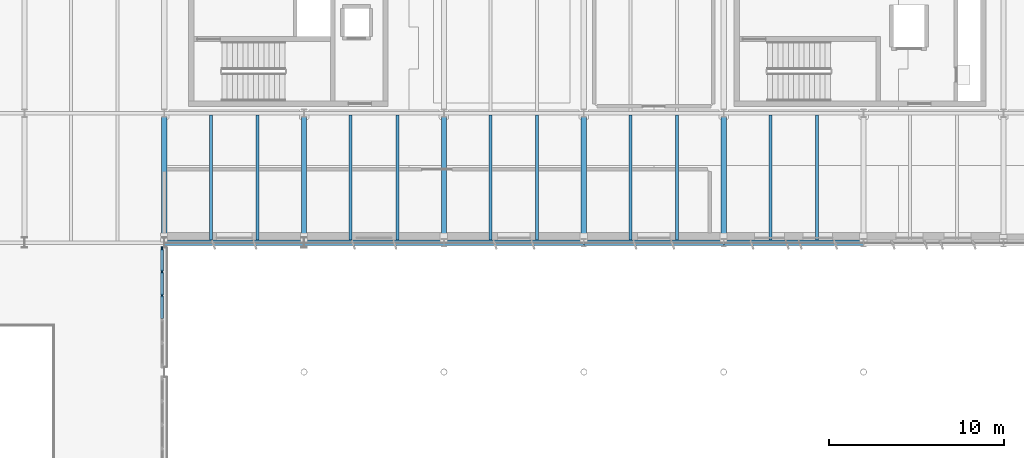
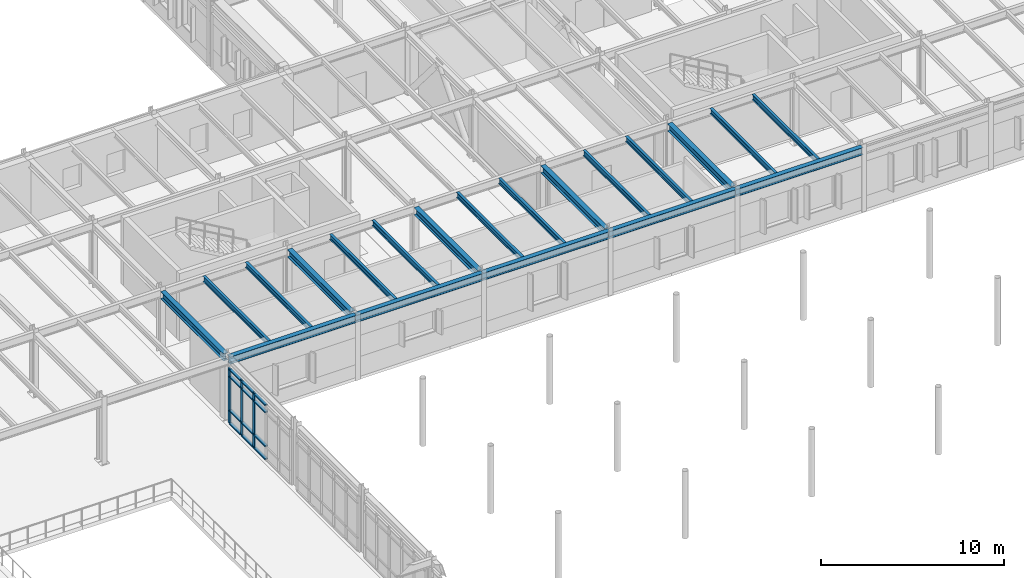
# One storey, part 23 of 75: 20 beams, 15 members, 1 element without a shape of its own.
"""IFC4 building model written with IfcOpenShell, lengths in metres."""

from ifc_helpers import new_model, si_unit, direction, frame, origin, origin_2d, place, context, subcontext, project, spatial, rectangle, i_section, extrude, material, layer, layer_set, material_profile, profile_set, type_object, element, aggregate, save


model = new_model("IFC4")

# Units and contexts
model_context = context("Model", 3, precision=1e-05, world=origin(), true_north=direction((0.0, 1.0)))
body_context = subcontext(model_context, "Body", "Model", "MODEL_VIEW")
ifc_project = project(units=[si_unit("LENGTHUNIT", "METRE"), si_unit("AREAUNIT", "SQUARE_METRE"), si_unit("VOLUMEUNIT", "CUBIC_METRE"), si_unit("PLANEANGLEUNIT", "RADIAN"), si_unit("MASSUNIT", "GRAM", prefix="KILO")], contexts=[model_context])

# Site, building, storey
site_placement = place(None, origin())
site = spatial("IfcSite", under=ifc_project, at=site_placement, CompositionType="ELEMENT")
building_placement = place(site_placement, origin())
building = spatial("IfcBuilding", under=site, at=building_placement, Name="Valkorina Park Police Headquarters", CompositionType="ELEMENT")
storey_placement = place(building_placement, frame((0.0, 0.0, 5.39990234375)))
storey = spatial("IfcBuildingStorey", under=building, at=storey_placement, Name="L02", CompositionType="ELEMENT", Elevation=5.39990234375)

# Beams
ifc_material_1 = material(Name="Steel S355", Category="steel")
ifc_material_profile_1 = material_profile(ifc_material_1, i_section(OverallWidth=0.300048828125, OverallDepth=0.489990234375, WebThickness=0.011962890625, FlangeThickness=0.02294921875, FilletRadius=0.027099609375, at=origin_2d()), Name="HEA 500")
ifc_profile_set_1 = profile_set([ifc_material_profile_1], Name="Steel S355")
beam_type_1 = type_object("IfcBeamType", Name="BM-S355-HEA500-BM", PredefinedType="BEAM", material=ifc_profile_set_1)
for number, where, z_axis, x_axis, name in (
    (1, (80.800048828125, 59.5, 3.9951171875), (0.0, 1.0, 0.0), (-1.0, 0.0, 0.0), "L02 Framing Beam 1646"),
    (2, (88.800048828125, 59.5, 3.9951171875), (0.0, 1.0, 0.0), (-1.0, 0.0, 0.0), "L02 Framing Beam 1653"),
):
    element("IfcBeam", number, at=place(storey_placement, frame(where, z_axis=z_axis, x_axis=x_axis)), inside=storey, type_object=beam_type_1, Name=name, PredefinedType="BEAM", context=body_context, shape_type="SweptSolid", body=[
        extrude(i_section(OverallWidth=0.300048828125, OverallDepth=0.489990234375, WebThickness=0.011962890625, FlangeThickness=0.02294921875, FilletRadius=0.027099609375, at=origin_2d()), origin(), (0.0, 0.0, 1.0), 6.875),
    ])
for number, where, z_axis, x_axis, name in (
    (3, (96.800048828125, 59.425048828125, 3.9951171875), (0.0, 1.0, 0.0), (-1.0, 0.0, 0.0), "L02 Framing Beam 1659"),
    (4, (104.800048828125, 59.425048828125, 3.9951171875), (0.0, 1.0, 0.0), (-1.0, 0.0, 0.0), "L02 Framing Beam 1680"),
    (5, (112.800048828125, 59.425048828125, 3.9951171875), (0.0, 1.0, 0.0), (-1.0, 0.0, 0.0), "L02 Framing Beam 1701"),
):
    element("IfcBeam", number, at=place(storey_placement, frame(where, z_axis=z_axis, x_axis=x_axis)), inside=storey, type_object=beam_type_1, Name=name, PredefinedType="BEAM", context=body_context, shape_type="SweptSolid", body=[
        extrude(i_section(OverallWidth=0.300048828125, OverallDepth=0.489990234375, WebThickness=0.011962890625, FlangeThickness=0.02294921875, FilletRadius=0.027099609375, at=origin_2d()), origin(), (0.0, 0.0, 1.0), 6.949951171875),
    ])
ifc_material_profile_2 = material_profile(ifc_material_1, i_section(OverallWidth=0.300048828125, OverallDepth=0.489990234375, WebThickness=0.011962890625, FlangeThickness=0.02294921875, FilletRadius=0.027099609375, at=origin_2d()), Name="HEA 500")
ifc_profile_set_2 = profile_set([ifc_material_profile_2], Name="Steel S355")
beam_type_2 = type_object("IfcBeamType", Name="BM-S355-HEA500-SPN", PredefinedType="SPANDREL", material=ifc_profile_set_2)
beam_1_placement = place(storey_placement, frame((80.8076171875, 59.199951171875, 3.9951171875), z_axis=(1.0, 0.0, 0.0), x_axis=(0.0, 1.0, 0.0)))
element("IfcBeam", 6, at=beam_1_placement, inside=storey, type_object=beam_type_2, Name="L02 Framing Beam 1349", PredefinedType="SPANDREL", context=body_context, shape_type="SweptSolid", body=[
    extrude(i_section(OverallWidth=0.300048828125, OverallDepth=0.489990234375, WebThickness=0.011962890625, FlangeThickness=0.02294921875, FilletRadius=0.027099609375, at=origin_2d()), origin(), (0.0, 0.0, 1.0), 7.984619140625),
])
beam_2_placement = place(storey_placement, frame((88.8076171875, 59.199951171875, 3.9951171875), z_axis=(1.0, 0.0, 0.0), x_axis=(0.0, 1.0, 0.0)))
element("IfcBeam", 7, at=beam_2_placement, inside=storey, type_object=beam_type_2, Name="L02 Framing Beam 1350", PredefinedType="SPANDREL", context=body_context, shape_type="SweptSolid", body=[
    extrude(i_section(OverallWidth=0.300048828125, OverallDepth=0.489990234375, WebThickness=0.011962890625, FlangeThickness=0.02294921875, FilletRadius=0.027099609375, at=origin_2d()), origin(), (0.0, 0.0, 1.0), 7.9853515625),
])
for number, where, z_axis, x_axis, name in (
    (8, (96.806884765625, 59.199951171875, 3.9951171875), (1.0, 0.0, 0.0), (0.0, 1.0, 0.0), "L02 Framing Beam 1351"),
    (9, (104.806884765625, 59.199951171875, 3.9951171875), (1.0, 0.0, 0.0), (0.0, 1.0, 0.0), "L02 Framing Beam 1352"),
    (10, (112.806884765625, 59.199951171875, 3.9951171875), (1.0, 0.0, 0.0), (0.0, 1.0, 0.0), "L02 Framing Beam 1353"),
):
    element("IfcBeam", number, at=place(storey_placement, frame(where, z_axis=z_axis, x_axis=x_axis)), inside=storey, type_object=beam_type_2, Name=name, PredefinedType="SPANDREL", context=body_context, shape_type="SweptSolid", body=[
        extrude(i_section(OverallWidth=0.300048828125, OverallDepth=0.489990234375, WebThickness=0.011962890625, FlangeThickness=0.02294921875, FilletRadius=0.027099609375, at=origin_2d()), origin(), (0.0, 0.0, 1.0), 7.986083984375),
    ])
ifc_material_profile_3 = material_profile(ifc_material_1, i_section(OverallWidth=0.169921875, OverallDepth=0.360107421875, WebThickness=0.008056640625, FlangeThickness=0.0126953125, FilletRadius=0.01806640625, at=origin_2d()), Name="IPE 360")
ifc_profile_set_3 = profile_set([ifc_material_profile_3], Name="Steel S355")
beam_type_3 = type_object("IfcBeamType", Name="BM-S355-IPE360-JST", PredefinedType="JOIST", material=ifc_profile_set_3)
for number, where, z_axis, x_axis, name in (
    (11, (83.466796875, 59.35009765625, 4.06005859375), (0.0, 1.0, 0.0), (-1.0, 0.0, 0.0), "L02 Framing Beam 1647"),
    (12, (86.13330078125, 59.35009765625, 4.06005859375), (0.0, 1.0, 0.0), (-1.0, 0.0, 0.0), "L02 Framing Beam 1648"),
    (13, (91.466796875, 59.35009765625, 4.06005859375), (0.0, 1.0, 0.0), (-1.0, 0.0, 0.0), "L02 Framing Beam 1654"),
    (14, (94.13330078125, 59.35009765625, 4.06005859375), (0.0, 1.0, 0.0), (-1.0, 0.0, 0.0), "L02 Framing Beam 1655"),
    (15, (99.466796875, 59.35009765625, 4.06005859375), (0.0, 1.0, 0.0), (-1.0, 0.0, 0.0), "L02 Framing Beam 1660"),
    (16, (102.13330078125, 59.35009765625, 4.06005859375), (0.0, 1.0, 0.0), (-1.0, 0.0, 0.0), "L02 Framing Beam 1661"),
    (17, (107.466796875, 59.35009765625, 4.06005859375), (0.0, 1.0, 0.0), (-1.0, 0.0, 0.0), "L02 Framing Beam 1681"),
    (18, (110.13330078125, 59.35009765625, 4.06005859375), (0.0, 1.0, 0.0), (-1.0, 0.0, 0.0), "L02 Framing Beam 1682"),
    (19, (115.466796875, 59.35009765625, 4.06005859375), (0.0, 1.0, 0.0), (-1.0, 0.0, 0.0), "L02 Framing Beam 1702"),
    (20, (118.13330078125, 59.35009765625, 4.06005859375), (0.0, 1.0, 0.0), (-1.0, 0.0, 0.0), "L02 Framing Beam 1703"),
):
    element("IfcBeam", number, at=place(storey_placement, frame(where, z_axis=z_axis, x_axis=x_axis)), inside=storey, type_object=beam_type_3, Name=name, PredefinedType="JOIST", context=body_context, shape_type="SweptSolid", body=[
        extrude(i_section(OverallWidth=0.169921875, OverallDepth=0.360107421875, WebThickness=0.008056640625, FlangeThickness=0.0126953125, FilletRadius=0.01806640625, at=origin_2d()), origin(), (0.0, 0.0, 1.0), 7.14501953125),
    ])

# Curtain wall, members
ifc_material_2 = material(Name="Thermally broken aluminium AW-6060", Category="aluminium")
ifc_layer = layer(ifc_material_2, 0.18994140625)
ifc_layer_set = layer_set([ifc_layer], Name="Thermally broken aluminium AW-6060")
curtain_wall_type = type_object("IfcCurtainWallType", Name="CW-V4-6780x3680", PredefinedType="NOTDEFINED", material=ifc_layer_set)
curtain_wall_placement = place(storey_placement, origin())
curtain_wall = element("IfcCurtainWall", 21, at=curtain_wall_placement, inside=storey, type_object=curtain_wall_type, Name="L02 Unitised Curtain Wall 009", PredefinedType="NOTDEFINED")
ifc_material_profile_4 = material_profile(ifc_material_2, rectangle(XDim=0.080078125, YDim=0.219970703125, at=origin_2d()), Name="CWM-03 80x220")
ifc_profile_set_4 = profile_set([ifc_material_profile_4], Name="Thermally broken aluminium AW-6060")
member_type_1 = type_object("IfcMemberType", Name="CWM-80x220", PredefinedType="MULLION", material=ifc_profile_set_4)
member_1_placement = place(storey_placement, frame((80.679931640625, 58.85009765625, 0.0), z_axis=(0.0, 0.0, 1.0), x_axis=(1.0, 0.0, 0.0)))
member_1 = element("IfcMember", 22, at=member_1_placement, type_object=member_type_1, Name="CW-V4-678-368 mullion 1", PredefinedType="MULLION", context=body_context, shape_type="SweptSolid", body=[
    extrude(rectangle(XDim=0.080078125, YDim=0.219970703125, at=origin_2d()), origin(), (0.0, 0.0, 1.0), 3.68017578125),
])
member_2_placement = place(storey_placement, frame((80.679931640625, 57.533935546875, 0.0), z_axis=(0.0, 0.0, 1.0), x_axis=(1.0, 0.0, 0.0)))
member_2 = element("IfcMember", 23, at=member_2_placement, type_object=member_type_1, Name="CW-V4-678-368 mullion 2", PredefinedType="MULLION", context=body_context, shape_type="SweptSolid", body=[
    extrude(rectangle(XDim=0.080078125, YDim=0.219970703125, at=origin_2d()), origin(), (0.0, 0.0, 1.0), 3.68017578125),
])
member_3_placement = place(storey_placement, frame((80.679931640625, 56.177978515625, 0.0), z_axis=(0.0, 0.0, 1.0), x_axis=(1.0, 0.0, 0.0)))
member_3 = element("IfcMember", 24, at=member_3_placement, type_object=member_type_1, Name="CW-V4-678-368 mullion 3", PredefinedType="MULLION", context=body_context, shape_type="SweptSolid", body=[
    extrude(rectangle(XDim=0.080078125, YDim=0.219970703125, at=origin_2d()), origin(), (0.0, 0.0, 1.0), 3.68017578125),
])
ifc_material_profile_5 = material_profile(ifc_material_2, rectangle(XDim=0.179931640625, YDim=0.080078125, at=origin_2d()), Name="CWT-03 180x80")
ifc_profile_set_5 = profile_set([ifc_material_profile_5], Name="Thermally broken aluminium AW-6060")
member_type_2 = type_object("IfcMemberType", Name="CWT-180x80", PredefinedType="USERDEFINED", material=ifc_profile_set_5)
member_4_placement = place(storey_placement, frame((80.679931640625, 58.81005859375, 0.0400390625), z_axis=(0.0, -1.0, 0.0), x_axis=(1.0, 0.0, 0.0)))
member_4 = element("IfcMember", 25, at=member_4_placement, type_object=member_type_2, Name="CW-V4-678-368 transom 1.1", ObjectType="TRANSOM", PredefinedType="USERDEFINED", context=body_context, shape_type="SweptSolid", body=[
    extrude(rectangle(XDim=0.179931640625, YDim=0.080078125, at=origin_2d()), origin(), (0.0, 0.0, 1.0), 1.236083984375),
])
member_5_placement = place(storey_placement, frame((80.679931640625, 58.81005859375, 0.900146484375), z_axis=(0.0, -1.0, 0.0), x_axis=(1.0, 0.0, 0.0)))
member_5 = element("IfcMember", 26, at=member_5_placement, type_object=member_type_2, Name="CW-V4-678-368 transom 1.2", ObjectType="TRANSOM", PredefinedType="USERDEFINED", context=body_context, shape_type="SweptSolid", body=[
    extrude(rectangle(XDim=0.179931640625, YDim=0.080078125, at=origin_2d()), origin(), (0.0, 0.0, 1.0), 1.236083984375),
])
member_6_placement = place(storey_placement, frame((80.679931640625, 58.81005859375, 3.16015625), z_axis=(0.0, -1.0, 0.0), x_axis=(1.0, 0.0, 0.0)))
member_6 = element("IfcMember", 27, at=member_6_placement, type_object=member_type_2, Name="CW-V4-678-368 transom 1.3", ObjectType="TRANSOM", PredefinedType="USERDEFINED", context=body_context, shape_type="SweptSolid", body=[
    extrude(rectangle(XDim=0.179931640625, YDim=0.080078125, at=origin_2d()), origin(), (0.0, 0.0, 1.0), 1.236083984375),
])
member_7_placement = place(storey_placement, frame((80.679931640625, 58.81005859375, 3.64013671875), z_axis=(0.0, -1.0, 0.0), x_axis=(1.0, 0.0, 0.0)))
member_7 = element("IfcMember", 28, at=member_7_placement, type_object=member_type_2, Name="CW-V4-678-368 transom 1.4", ObjectType="TRANSOM", PredefinedType="USERDEFINED", context=body_context, shape_type="SweptSolid", body=[
    extrude(rectangle(XDim=0.179931640625, YDim=0.080078125, at=origin_2d()), origin(), (0.0, 0.0, 1.0), 1.236083984375),
])
member_8_placement = place(storey_placement, frame((80.679931640625, 57.493896484375, 0.0400390625), z_axis=(0.0, -1.0, 0.0), x_axis=(1.0, 0.0, 0.0)))
member_8 = element("IfcMember", 29, at=member_8_placement, type_object=member_type_2, Name="CW-V4-678-368 transom 2.1", ObjectType="TRANSOM", PredefinedType="USERDEFINED", context=body_context, shape_type="SweptSolid", body=[
    extrude(rectangle(XDim=0.179931640625, YDim=0.080078125, at=origin_2d()), origin(), (0.0, 0.0, 1.0), 1.27587890625),
])
member_9_placement = place(storey_placement, frame((80.679931640625, 57.493896484375, 0.900146484375), z_axis=(0.0, -1.0, 0.0), x_axis=(1.0, 0.0, 0.0)))
member_9 = element("IfcMember", 30, at=member_9_placement, type_object=member_type_2, Name="CW-V4-678-368 transom 2.2", ObjectType="TRANSOM", PredefinedType="USERDEFINED", context=body_context, shape_type="SweptSolid", body=[
    extrude(rectangle(XDim=0.179931640625, YDim=0.080078125, at=origin_2d()), origin(), (0.0, 0.0, 1.0), 1.27587890625),
])
member_10_placement = place(storey_placement, frame((80.679931640625, 57.493896484375, 3.16015625), z_axis=(0.0, -1.0, 0.0), x_axis=(1.0, 0.0, 0.0)))
member_10 = element("IfcMember", 31, at=member_10_placement, type_object=member_type_2, Name="CW-V4-678-368 transom 2.3", ObjectType="TRANSOM", PredefinedType="USERDEFINED", context=body_context, shape_type="SweptSolid", body=[
    extrude(rectangle(XDim=0.179931640625, YDim=0.080078125, at=origin_2d()), origin(), (0.0, 0.0, 1.0), 1.27587890625),
])
member_11_placement = place(storey_placement, frame((80.679931640625, 57.493896484375, 3.64013671875), z_axis=(0.0, -1.0, 0.0), x_axis=(1.0, 0.0, 0.0)))
member_11 = element("IfcMember", 32, at=member_11_placement, type_object=member_type_2, Name="CW-V4-678-368 transom 2.4", ObjectType="TRANSOM", PredefinedType="USERDEFINED", context=body_context, shape_type="SweptSolid", body=[
    extrude(rectangle(XDim=0.179931640625, YDim=0.080078125, at=origin_2d()), origin(), (0.0, 0.0, 1.0), 1.27587890625),
])
member_12_placement = place(storey_placement, frame((80.679931640625, 56.137939453125, 0.0400390625), z_axis=(0.0, -1.0, 0.0), x_axis=(1.0, 0.0, 0.0)))
member_12 = element("IfcMember", 33, at=member_12_placement, type_object=member_type_2, Name="CW-V4-678-368 transom 3.1", ObjectType="TRANSOM", PredefinedType="USERDEFINED", context=body_context, shape_type="SweptSolid", body=[
    extrude(rectangle(XDim=0.179931640625, YDim=0.080078125, at=origin_2d()), origin(), (0.0, 0.0, 1.0), 1.27587890625),
])
member_13_placement = place(storey_placement, frame((80.679931640625, 56.137939453125, 0.900146484375), z_axis=(0.0, -1.0, 0.0), x_axis=(1.0, 0.0, 0.0)))
member_13 = element("IfcMember", 34, at=member_13_placement, type_object=member_type_2, Name="CW-V4-678-368 transom 3.2", ObjectType="TRANSOM", PredefinedType="USERDEFINED", context=body_context, shape_type="SweptSolid", body=[
    extrude(rectangle(XDim=0.179931640625, YDim=0.080078125, at=origin_2d()), origin(), (0.0, 0.0, 1.0), 1.27587890625),
])
member_14_placement = place(storey_placement, frame((80.679931640625, 56.137939453125, 3.16015625), z_axis=(0.0, -1.0, 0.0), x_axis=(1.0, 0.0, 0.0)))
member_14 = element("IfcMember", 35, at=member_14_placement, type_object=member_type_2, Name="CW-V4-678-368 transom 3.3", ObjectType="TRANSOM", PredefinedType="USERDEFINED", context=body_context, shape_type="SweptSolid", body=[
    extrude(rectangle(XDim=0.179931640625, YDim=0.080078125, at=origin_2d()), origin(), (0.0, 0.0, 1.0), 1.27587890625),
])
member_15_placement = place(storey_placement, frame((80.679931640625, 56.137939453125, 3.64013671875), z_axis=(0.0, -1.0, 0.0), x_axis=(1.0, 0.0, 0.0)))
member_15 = element("IfcMember", 36, at=member_15_placement, type_object=member_type_2, Name="CW-V4-678-368 transom 3.4", ObjectType="TRANSOM", PredefinedType="USERDEFINED", context=body_context, shape_type="SweptSolid", body=[
    extrude(rectangle(XDim=0.179931640625, YDim=0.080078125, at=origin_2d()), origin(), (0.0, 0.0, 1.0), 1.27587890625),
])
aggregate(curtain_wall, [member_1, member_2, member_3, member_4, member_5, member_6, member_7, member_8, member_9, member_10, member_11, member_12, member_13, member_14, member_15])

save(model, "model.ifc")
